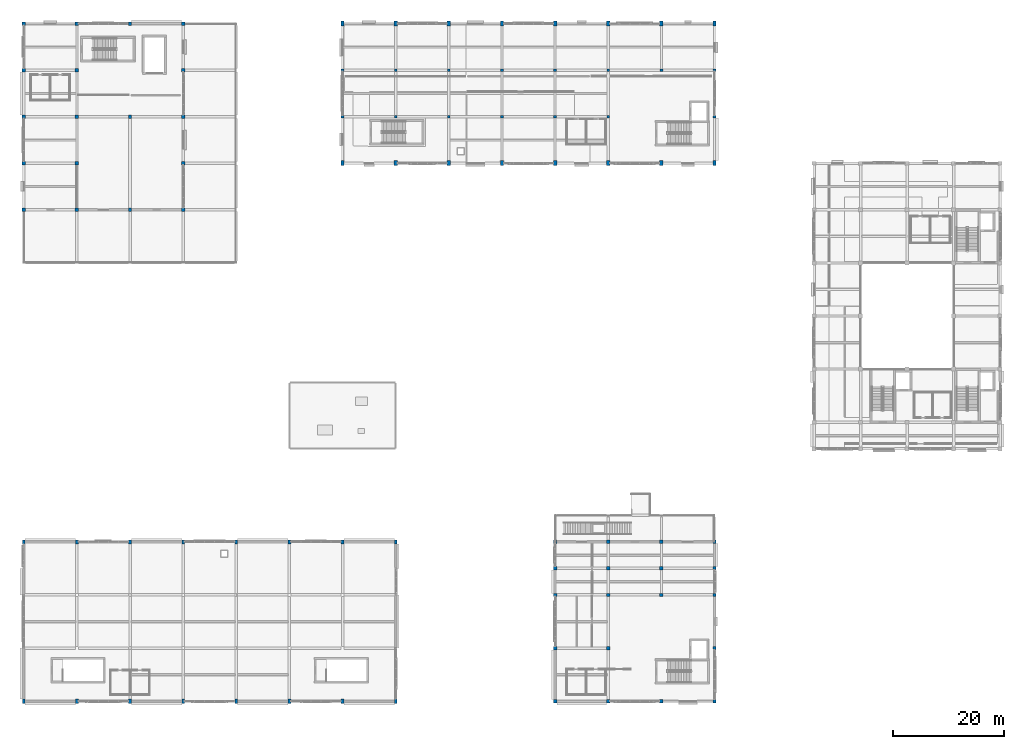
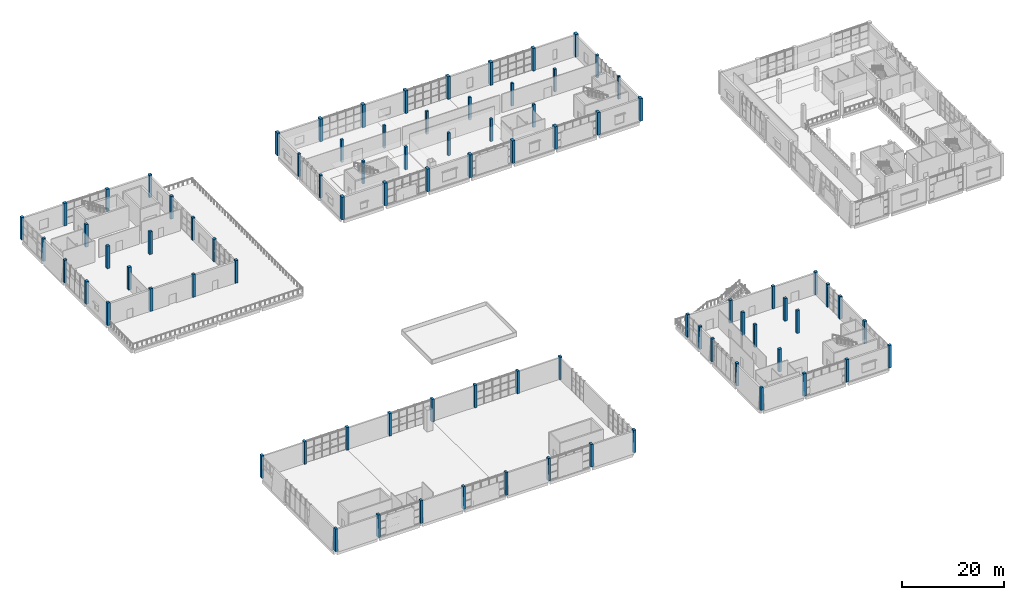
# One storey, part 1 of 72: 84 columns.
"""IFC4 building model written with IfcOpenShell, lengths in metres."""

from ifc_helpers import new_model, si_unit, direction, frame, origin, origin_2d, place, context, subcontext, project, spatial, rectangle, extrude, material, material_profile, profile_set, type_object, element, save


model = new_model("IFC4")

# Units and contexts
model_context = context("Model", 3, precision=1e-05, world=origin(), true_north=direction((0.0, 1.0)))
body_context = subcontext(model_context, "Body", "Model", "MODEL_VIEW")
ifc_project = project(units=[si_unit("LENGTHUNIT", "METRE"), si_unit("AREAUNIT", "SQUARE_METRE"), si_unit("VOLUMEUNIT", "CUBIC_METRE"), si_unit("PLANEANGLEUNIT", "RADIAN"), si_unit("MASSUNIT", "GRAM", prefix="KILO")], contexts=[model_context])

# Site, building, storey
site_placement = place(None, origin())
site = spatial("IfcSite", under=ifc_project, at=site_placement, CompositionType="ELEMENT")
building_placement = place(site_placement, origin())
building = spatial("IfcBuilding", under=site, at=building_placement, Name="Shalvenor Court Art Gallery", CompositionType="ELEMENT")
storey_placement = place(building_placement, frame((0.0, 0.0, 11.39990234375)))
storey = spatial("IfcBuildingStorey", under=building, at=storey_placement, Name="L02", CompositionType="ELEMENT", Elevation=11.39990234375)

# Columns
ifc_material_1 = material(Name="Concrete C40/50", Category="concrete")
ifc_material_profile_1 = material_profile(ifc_material_1, rectangle(XDim=0.60009765625, YDim=0.60009765625, at=origin_2d()), Name="RC 600x600")
ifc_profile_set_1 = profile_set([ifc_material_profile_1], Name="Concrete C40/50")
column_type_1 = type_object("IfcColumnType", Name="C-03", PredefinedType="COLUMN", material=ifc_profile_set_1)
for number, where, z_axis, x_axis, name in (
    (1, (9.60009765625, 88.800048828125, 0.0), (0.0, 0.0, 1.0), (1.0, 0.0, 0.0), "L02 Column COL-L02-C-03-0065"),
    (2, (9.60009765625, 97.199951171875, 0.0), (0.0, 0.0, 1.0), (1.0, 0.0, 0.0), "L02 Column COL-L02-C-03-0069"),
    (3, (9.60009765625, 105.60009765625, 0.0), (0.0, 0.0, 1.0), (1.0, 0.0, 0.0), "L02 Column COL-L02-C-03-0073"),
    (4, (9.60009765625, 114.0, 0.0), (0.0, 0.0, 1.0), (1.0, 0.0, 0.0), "L02 Column COL-L02-C-03-0078"),
    (5, (19.199951171875, 88.800048828125, 0.0), (0.0, 0.0, 1.0), (1.0, 0.0, 0.0), "L02 Column COL-L02-C-03-0107"),
    (6, (19.199951171875, 105.60009765625, 0.0), (0.0, 0.0, 1.0), (1.0, 0.0, 0.0), "L02 Column COL-L02-C-03-0111"),
    (7, (28.800048828125, 88.800048828125, 0.0), (0.0, 0.0, 1.0), (1.0, 0.0, 0.0), "L02 Column COL-L02-C-03-0140"),
    (8, (28.800048828125, 97.199951171875, 0.0), (0.0, 0.0, 1.0), (1.0, 0.0, 0.0), "L02 Column COL-L02-C-03-0144"),
    (9, (28.800048828125, 105.60009765625, 0.0), (0.0, 0.0, 1.0), (1.0, 0.0, 0.0), "L02 Column COL-L02-C-03-0148"),
    (10, (28.800048828125, 114.0, 0.0), (0.0, 0.0, 1.0), (1.0, 0.0, 0.0), "L02 Column COL-L02-C-03-0153"),
    (11, (105.60009765625, 9.60009765625, 0.0), (0.0, 0.0, 1.0), (1.0, 0.0, 0.0), "L02 Column COL-L02-C-03-0398"),
    (12, (105.60009765625, 19.199951171875, 0.0), (0.0, 0.0, 1.0), (1.0, 0.0, 0.0), "L02 Column COL-L02-C-03-0404"),
    (13, (105.60009765625, 24.0, 0.0), (0.0, 0.0, 1.0), (1.0, 0.0, 0.0), "L02 Column COL-L02-C-03-0410"),
    (14, (105.60009765625, 28.800048828125, 0.0), (0.0, 0.0, 1.0), (1.0, 0.0, 0.0), "L02 Column COL-L02-C-03-0415"),
    (15, (115.199951171875, 19.199951171875, 0.0), (0.0, 0.0, 1.0), (1.0, 0.0, 0.0), "L02 Column COL-L02-C-03-0454"),
    (16, (115.199951171875, 24.0, 0.0), (0.0, 0.0, 1.0), (1.0, 0.0, 0.0), "L02 Column COL-L02-C-03-0460"),
    (17, (115.199951171875, 28.800048828125, 0.0), (0.0, 0.0, 1.0), (1.0, 0.0, 0.0), "L02 Column COL-L02-C-03-0465"),
):
    element("IfcColumn", number, at=place(storey_placement, frame(where, z_axis=z_axis, x_axis=x_axis)), inside=storey, type_object=column_type_1, Name=name, PredefinedType="COLUMN", context=body_context, shape_type="SweptSolid", body=[
        extrude(rectangle(XDim=0.60009765625, YDim=0.60009765625, at=origin_2d()), origin(), (0.0, 0.0, 1.0), 5.400146484375),
    ])
ifc_material_2 = material(Name="Concrete C40/50", Category="concrete")
ifc_material_profile_2 = material_profile(ifc_material_2, rectangle(XDim=0.60009765625, YDim=0.60009765625, at=origin_2d()), Name="RC 600x600")
ifc_profile_set_2 = profile_set([ifc_material_profile_2], Name="Concrete C40/50")
column_type_2 = type_object("IfcColumnType", Name="C-03E", PredefinedType="COLUMN", material=ifc_profile_set_2)
for number, where, z_axis, x_axis, name in (
    (18, (0.0, 88.800048828125, 0.0), (0.0, 0.0, 1.0), (1.0, 0.0, 0.0), "L02 Column COL-L02-C-03E-0023"),
    (19, (0.0, 97.199951171875, 0.0), (0.0, 0.0, 1.0), (1.0, 0.0, 0.0), "L02 Column COL-L02-C-03E-0027"),
    (20, (0.0, 105.60009765625, 0.0), (0.0, 0.0, 1.0), (1.0, 0.0, 0.0), "L02 Column COL-L02-C-03E-0031"),
    (21, (0.0, 114.0, 0.0), (0.0, 0.0, 1.0), (1.0, 0.0, 0.0), "L02 Column COL-L02-C-03E-0036"),
    (22, (0.0, 122.39990234375, 0.0), (0.0, 0.0, 1.0), (1.0, 0.0, 0.0), "L02 Column COL-L02-C-03E-0041"),
    (23, (9.60009765625, 122.39990234375, 0.0), (0.0, 0.0, 1.0), (1.0, 0.0, 0.0), "L02 Column COL-L02-C-03E-0083"),
    (24, (19.199951171875, 122.39990234375, 0.0), (0.0, 0.0, 1.0), (1.0, 0.0, 0.0), "L02 Column COL-L02-C-03E-0116"),
    (25, (28.800048828125, 122.39990234375, 0.0), (0.0, 0.0, 1.0), (1.0, 0.0, 0.0), "L02 Column COL-L02-C-03E-0158"),
    (26, (96.0, 0.0, 0.0), (0.0, 0.0, 1.0), (1.0, 0.0, 0.0), "L02 Column COL-L02-C-03E-0341"),
    (27, (96.0, 9.60009765625, 0.0), (0.0, 0.0, 1.0), (1.0, 0.0, 0.0), "L02 Column COL-L02-C-03E-0347"),
    (28, (96.0, 19.199951171875, 0.0), (0.0, 0.0, 1.0), (1.0, 0.0, 0.0), "L02 Column COL-L02-C-03E-0353"),
    (29, (96.0, 24.0, 0.0), (0.0, 0.0, 1.0), (1.0, 0.0, 0.0), "L02 Column COL-L02-C-03E-0359"),
    (30, (96.0, 28.800048828125, 0.0), (0.0, 0.0, 1.0), (1.0, 0.0, 0.0), "L02 Column COL-L02-C-03E-0364"),
    (31, (105.60009765625, 0.0, 0.0), (0.0, 0.0, 1.0), (1.0, 0.0, 0.0), "L02 Column COL-L02-C-03E-0392"),
    (32, (115.199951171875, 0.0, 0.0), (0.0, 0.0, 1.0), (1.0, 0.0, 0.0), "L02 Column COL-L02-C-03E-0448"),
    (33, (124.800048828125, 0.0, 0.0), (0.0, 0.0, 1.0), (1.0, 0.0, 0.0), "L02 Column COL-L02-C-03E-0489"),
    (34, (124.800048828125, 9.60009765625, 0.0), (0.0, 0.0, 1.0), (1.0, 0.0, 0.0), "L02 Column COL-L02-C-03E-0495"),
    (35, (124.800048828125, 19.199951171875, 0.0), (0.0, 0.0, 1.0), (1.0, 0.0, 0.0), "L02 Column COL-L02-C-03E-0501"),
    (36, (124.800048828125, 24.0, 0.0), (0.0, 0.0, 1.0), (1.0, 0.0, 0.0), "L02 Column COL-L02-C-03E-0507"),
    (37, (124.800048828125, 28.800048828125, 0.0), (0.0, 0.0, 1.0), (1.0, 0.0, 0.0), "L02 Column COL-L02-C-03E-0512"),
):
    element("IfcColumn", number, at=place(storey_placement, frame(where, z_axis=z_axis, x_axis=x_axis)), inside=storey, type_object=column_type_2, Name=name, PredefinedType="COLUMN", context=body_context, shape_type="SweptSolid", body=[
        extrude(rectangle(XDim=0.60009765625, YDim=0.60009765625, at=origin_2d()), origin(), (0.0, 0.0, 1.0), 5.400146484375),
    ])
ifc_material_3 = material(Name="Concrete C40/50", Category="concrete")
ifc_material_profile_3 = material_profile(ifc_material_3, rectangle(XDim=0.5, YDim=0.5, at=origin_2d()), Name="RC 500x500")
ifc_profile_set_3 = profile_set([ifc_material_profile_3], Name="Concrete C40/50")
column_type_3 = type_object("IfcColumnType", Name="C-04", PredefinedType="COLUMN", material=ifc_profile_set_3)
for number, where, z_axis, x_axis, name in (
    (38, (67.199951171875, 105.60009765625, 0.0), (0.0, 0.0, 1.0), (1.0, 0.0, 0.0), "L02 Column COL-L02-C-04-0286"),
    (39, (67.199951171875, 114.0, 0.0), (0.0, 0.0, 1.0), (1.0, 0.0, 0.0), "L02 Column COL-L02-C-04-0290"),
    (40, (76.800048828125, 105.60009765625, 0.0), (0.0, 0.0, 1.0), (1.0, 0.0, 0.0), "L02 Column COL-L02-C-04-0310"),
    (41, (76.800048828125, 114.0, 0.0), (0.0, 0.0, 1.0), (1.0, 0.0, 0.0), "L02 Column COL-L02-C-04-0314"),
    (42, (86.39990234375, 105.60009765625, 0.0), (0.0, 0.0, 1.0), (1.0, 0.0, 0.0), "L02 Column COL-L02-C-04-0328"),
    (43, (86.39990234375, 114.0, 0.0), (0.0, 0.0, 1.0), (1.0, 0.0, 0.0), "L02 Column COL-L02-C-04-0332"),
    (44, (96.0, 105.60009765625, 0.0), (0.0, 0.0, 1.0), (1.0, 0.0, 0.0), "L02 Column COL-L02-C-04-0379"),
    (45, (96.0, 114.0, 0.0), (0.0, 0.0, 1.0), (1.0, 0.0, 0.0), "L02 Column COL-L02-C-04-0383"),
    (46, (105.60009765625, 105.60009765625, 0.0), (0.0, 0.0, 1.0), (1.0, 0.0, 0.0), "L02 Column COL-L02-C-04-0435"),
    (47, (105.60009765625, 114.0, 0.0), (0.0, 0.0, 1.0), (1.0, 0.0, 0.0), "L02 Column COL-L02-C-04-0439"),
    (48, (115.199951171875, 114.0, 0.0), (0.0, 0.0, 1.0), (1.0, 0.0, 0.0), "L02 Column COL-L02-C-04-0480"),
):
    element("IfcColumn", number, at=place(storey_placement, frame(where, z_axis=z_axis, x_axis=x_axis)), inside=storey, type_object=column_type_3, Name=name, PredefinedType="COLUMN", context=body_context, shape_type="SweptSolid", body=[
        extrude(rectangle(XDim=0.5, YDim=0.5, at=origin_2d()), origin(), (0.0, 0.0, 1.0), 5.400146484375),
    ])
ifc_material_4 = material(Name="Concrete C40/50", Category="concrete")
ifc_material_profile_4 = material_profile(ifc_material_4, rectangle(XDim=0.5, YDim=0.5, at=origin_2d()), Name="RC 500x500")
ifc_profile_set_4 = profile_set([ifc_material_profile_4], Name="Concrete C40/50")
column_type_4 = type_object("IfcColumnType", Name="C-04E", PredefinedType="COLUMN", material=ifc_profile_set_4)
for number, where, z_axis, x_axis, name in (
    (49, (57.60009765625, 105.60009765625, 0.0), (0.0, 0.0, 1.0), (1.0, 0.0, 0.0), "L02 Column COL-L02-C-04E-0245"),
    (50, (57.60009765625, 114.0, 0.0), (0.0, 0.0, 1.0), (1.0, 0.0, 0.0), "L02 Column COL-L02-C-04E-0249"),
    (51, (124.800048828125, 105.60009765625, 0.0), (0.0, 0.0, 1.0), (1.0, 0.0, 0.0), "L02 Column COL-L02-C-04E-0527"),
    (52, (124.800048828125, 114.0, 0.0), (0.0, 0.0, 1.0), (1.0, 0.0, 0.0), "L02 Column COL-L02-C-04E-0531"),
):
    element("IfcColumn", number, at=place(storey_placement, frame(where, z_axis=z_axis, x_axis=x_axis)), inside=storey, type_object=column_type_4, Name=name, PredefinedType="COLUMN", context=body_context, shape_type="SweptSolid", body=[
        extrude(rectangle(XDim=0.5, YDim=0.5, at=origin_2d()), origin(), (0.0, 0.0, 1.0), 5.400146484375),
    ])
ifc_material_5 = material(Name="Concrete C40/50", Category="concrete")
ifc_material_profile_5 = material_profile(ifc_material_5, rectangle(XDim=0.60009765625, YDim=0.89990234375, at=origin_2d()), Name="RC 600x900")
ifc_profile_set_5 = profile_set([ifc_material_profile_5], Name="Concrete C40/50")
column_type_5 = type_object("IfcColumnType", Name="C-05E", PredefinedType="COLUMN", material=ifc_profile_set_5)
for number, where, z_axis, x_axis, name in (
    (53, (57.60009765625, 97.199951171875, 0.0), (0.0, 0.0, 1.0), (1.0, 0.0, 0.0), "L02 Column COL-L02-C-05E-0240"),
    (54, (57.60009765625, 122.39990234375, 0.0), (0.0, 0.0, 1.0), (1.0, 0.0, 0.0), "L02 Column COL-L02-C-05E-0253"),
    (55, (67.199951171875, 97.199951171875, 0.0), (0.0, 0.0, 1.0), (1.0, 0.0, 0.0), "L02 Column COL-L02-C-05E-0281"),
    (56, (67.199951171875, 122.39990234375, 0.0), (0.0, 0.0, 1.0), (1.0, 0.0, 0.0), "L02 Column COL-L02-C-05E-0294"),
    (57, (76.800048828125, 97.199951171875, 0.0), (0.0, 0.0, 1.0), (1.0, 0.0, 0.0), "L02 Column COL-L02-C-05E-0305"),
    (58, (76.800048828125, 122.39990234375, 0.0), (0.0, 0.0, 1.0), (1.0, 0.0, 0.0), "L02 Column COL-L02-C-05E-0318"),
    (59, (86.39990234375, 97.199951171875, 0.0), (0.0, 0.0, 1.0), (1.0, 0.0, 0.0), "L02 Column COL-L02-C-05E-0323"),
    (60, (86.39990234375, 122.39990234375, 0.0), (0.0, 0.0, 1.0), (1.0, 0.0, 0.0), "L02 Column COL-L02-C-05E-0336"),
    (61, (96.0, 97.199951171875, 0.0), (0.0, 0.0, 1.0), (1.0, 0.0, 0.0), "L02 Column COL-L02-C-05E-0374"),
    (62, (96.0, 122.39990234375, 0.0), (0.0, 0.0, 1.0), (1.0, 0.0, 0.0), "L02 Column COL-L02-C-05E-0387"),
    (63, (105.60009765625, 97.199951171875, 0.0), (0.0, 0.0, 1.0), (1.0, 0.0, 0.0), "L02 Column COL-L02-C-05E-0430"),
    (64, (105.60009765625, 122.39990234375, 0.0), (0.0, 0.0, 1.0), (1.0, 0.0, 0.0), "L02 Column COL-L02-C-05E-0443"),
    (65, (115.199951171875, 97.199951171875, 0.0), (0.0, 0.0, 1.0), (1.0, 0.0, 0.0), "L02 Column COL-L02-C-05E-0475"),
    (66, (115.199951171875, 122.39990234375, 0.0), (0.0, 0.0, 1.0), (1.0, 0.0, 0.0), "L02 Column COL-L02-C-05E-0484"),
    (67, (124.800048828125, 97.199951171875, 0.0), (0.0, 0.0, 1.0), (1.0, 0.0, 0.0), "L02 Column COL-L02-C-05E-0522"),
    (68, (124.800048828125, 122.39990234375, 0.0), (0.0, 0.0, 1.0), (1.0, 0.0, 0.0), "L02 Column COL-L02-C-05E-0535"),
):
    element("IfcColumn", number, at=place(storey_placement, frame(where, z_axis=z_axis, x_axis=x_axis)), inside=storey, type_object=column_type_5, Name=name, PredefinedType="COLUMN", context=body_context, shape_type="SweptSolid", body=[
        extrude(rectangle(XDim=0.60009765625, YDim=0.89990234375, at=origin_2d()), origin(), (0.0, 0.0, 1.0), 5.400146484375),
    ])
ifc_material_6 = material(Name="Concrete C40/50", Category="concrete")
ifc_material_profile_6 = material_profile(ifc_material_6, rectangle(XDim=0.5, YDim=0.75, at=origin_2d()), Name="RC 500x750")
ifc_profile_set_6 = profile_set([ifc_material_profile_6], Name="Concrete C40/50")
column_type_6 = type_object("IfcColumnType", Name="C-06E", PredefinedType="COLUMN", material=ifc_profile_set_6)
for number, where, z_axis, x_axis, name in (
    (69, (0.0, 0.0, 0.0), (0.0, 0.0, 1.0), (1.0, 0.0, 0.0), "L02 Column COL-L02-C-06E-0004"),
    (70, (0.0, 28.800048828125, 0.0), (0.0, 0.0, 1.0), (1.0, 0.0, 0.0), "L02 Column COL-L02-C-06E-0014"),
    (71, (9.60009765625, 0.0, 0.0), (0.0, 0.0, 1.0), (1.0, 0.0, 0.0), "L02 Column COL-L02-C-06E-0046"),
    (72, (9.60009765625, 28.800048828125, 0.0), (0.0, 0.0, 1.0), (1.0, 0.0, 0.0), "L02 Column COL-L02-C-06E-0056"),
    (73, (19.199951171875, 0.0, 0.0), (0.0, 0.0, 1.0), (1.0, 0.0, 0.0), "L02 Column COL-L02-C-06E-0088"),
    (74, (19.199951171875, 28.800048828125, 0.0), (0.0, 0.0, 1.0), (1.0, 0.0, 0.0), "L02 Column COL-L02-C-06E-0098"),
    (75, (28.800048828125, 0.0, 0.0), (0.0, 0.0, 1.0), (1.0, 0.0, 0.0), "L02 Column COL-L02-C-06E-0121"),
    (76, (28.800048828125, 28.800048828125, 0.0), (0.0, 0.0, 1.0), (1.0, 0.0, 0.0), "L02 Column COL-L02-C-06E-0131"),
    (77, (38.39990234375, 0.0, 0.0), (0.0, 0.0, 1.0), (1.0, 0.0, 0.0), "L02 Column COL-L02-C-06E-0163"),
    (78, (38.39990234375, 28.800048828125, 0.0), (0.0, 0.0, 1.0), (1.0, 0.0, 0.0), "L02 Column COL-L02-C-06E-0173"),
    (79, (48.0, 0.0, 0.0), (0.0, 0.0, 1.0), (1.0, 0.0, 0.0), "L02 Column COL-L02-C-06E-0197"),
    (80, (48.0, 28.800048828125, 0.0), (0.0, 0.0, 1.0), (1.0, 0.0, 0.0), "L02 Column COL-L02-C-06E-0207"),
    (81, (57.60009765625, 0.0, 0.0), (0.0, 0.0, 1.0), (1.0, 0.0, 0.0), "L02 Column COL-L02-C-06E-0220"),
    (82, (57.60009765625, 28.800048828125, 0.0), (0.0, 0.0, 1.0), (1.0, 0.0, 0.0), "L02 Column COL-L02-C-06E-0230"),
    (83, (67.199951171875, 0.0, 0.0), (0.0, 0.0, 1.0), (1.0, 0.0, 0.0), "L02 Column COL-L02-C-06E-0258"),
    (84, (67.199951171875, 28.800048828125, 0.0), (0.0, 0.0, 1.0), (1.0, 0.0, 0.0), "L02 Column COL-L02-C-06E-0268"),
):
    element("IfcColumn", number, at=place(storey_placement, frame(where, z_axis=z_axis, x_axis=x_axis)), inside=storey, type_object=column_type_6, Name=name, PredefinedType="COLUMN", context=body_context, shape_type="SweptSolid", body=[
        extrude(rectangle(XDim=0.5, YDim=0.75, at=origin_2d()), origin(), (0.0, 0.0, 1.0), 5.400146484375),
    ])

save(model, "model.ifc")
